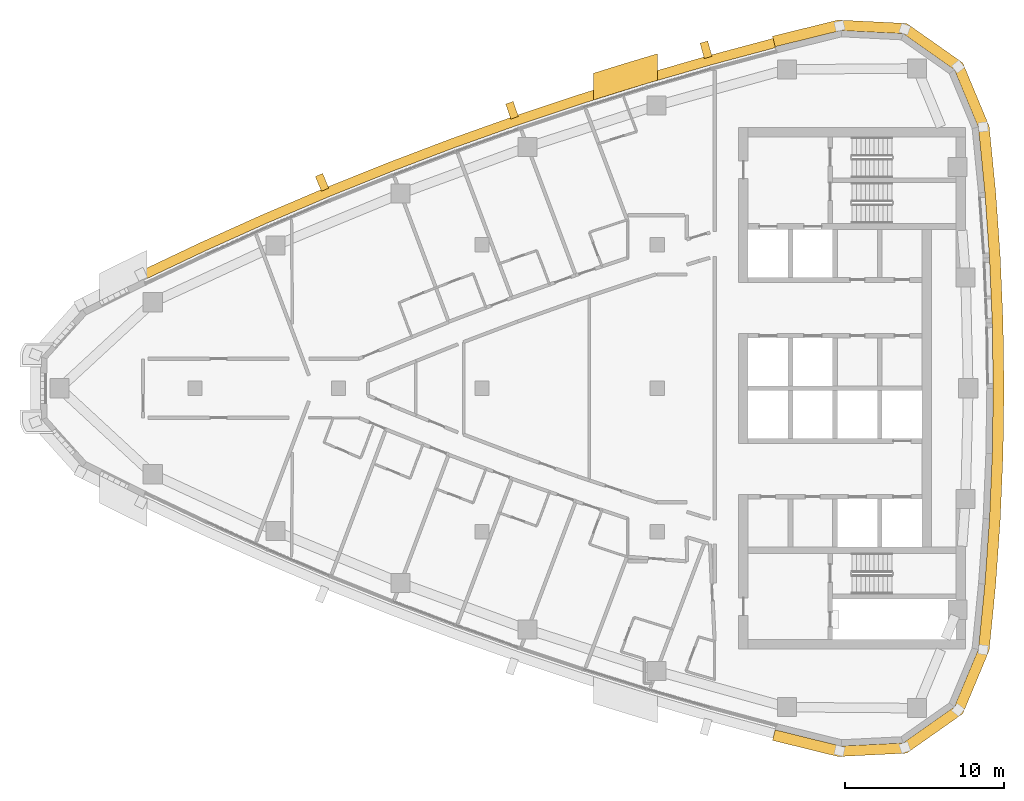
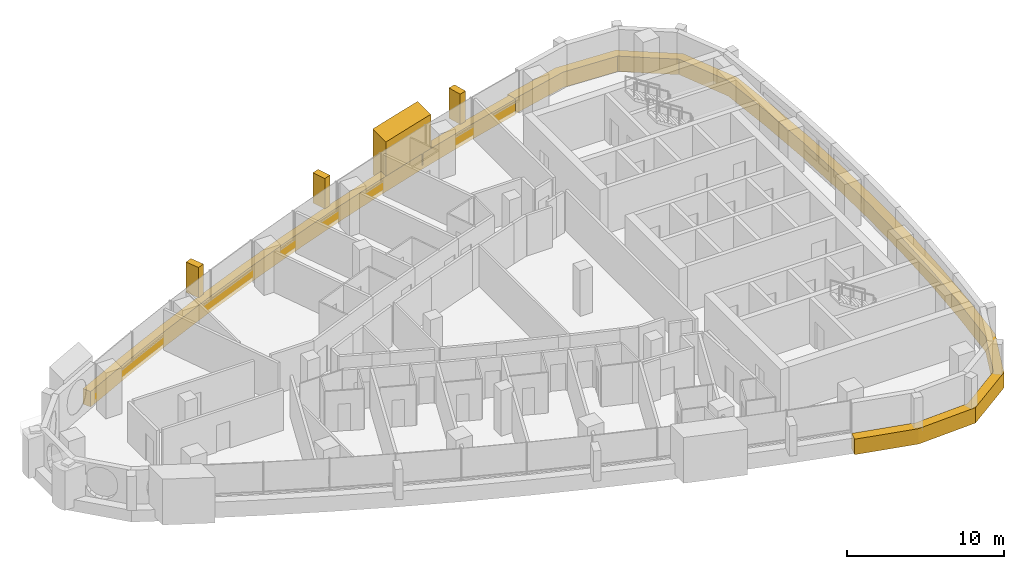
# One storey, part 15 of 16: 6 coverings.
"""IFC4 building model written with IfcOpenShell, lengths in metres."""

from ifc_helpers import new_model, si_unit, direction, frame, frame_2d, origin, place, context, subcontext, project, spatial, polyline, rectangle, outline, extrude, material, layer, layer_set, type_object, element, save


model = new_model("IFC4")

# Units and contexts
model_context = context("Model", 3, precision=1e-05, world=origin(), true_north=direction((0.0, 1.0)))
body_context = subcontext(model_context, "Body", "Model", "MODEL_VIEW")
ifc_project = project(units=[si_unit("LENGTHUNIT", "METRE"), si_unit("AREAUNIT", "SQUARE_METRE"), si_unit("VOLUMEUNIT", "CUBIC_METRE"), si_unit("PLANEANGLEUNIT", "RADIAN"), si_unit("MASSUNIT", "GRAM", prefix="KILO")], contexts=[model_context])

# Site, building, storey
site_placement = place(None, origin())
site = spatial("IfcSite", under=ifc_project, at=site_placement, CompositionType="ELEMENT")
building_placement = place(site_placement, origin())
building = spatial("IfcBuilding", under=site, at=building_placement, Name="Ostrand Prow Hotel Tower", CompositionType="ELEMENT")
storey_placement = place(building_placement, frame((0.0, 0.0, 252.75)))
storey = spatial("IfcBuildingStorey", under=building, at=storey_placement, Name="L64", CompositionType="ELEMENT", Elevation=252.75)

# Coverings
ifc_material_1 = material(Name="Bronze anodised aluminium cladding", Category="aluminium")
ifc_layer_1 = layer(ifc_material_1, 0.60009765625)
ifc_layer_set_1 = layer_set([ifc_layer_1], Name="Bronze anodised aluminium cladding")
covering_type_1 = type_object("IfcCoveringType", Name="Bronze spandrel band 1200x600", PredefinedType="CLADDING", material=ifc_layer_set_1)
covering_1_placement = place(storey_placement, frame((0.0, 0.0, -0.300048828125)))
element("IfcCovering", 1, at=covering_1_placement, inside=storey, type_object=covering_type_1, Name="Spandrel band N1", PredefinedType="CLADDING", context=body_context, shape_type="SweptSolid", body=[
    extrude(outline(polyline([(52.256591796875, 21.944580078125), (48.16064453125, 20.846435546875), (44.087890625, 19.665771484375), (40.039306640625, 18.403564453125), (36.017333984375, 17.059814453125), (32.02294921875, 15.635498046875), (28.058349609375, 14.131103515625), (24.12451171875, 12.547119140625), (20.2236328125, 10.88427734375), (16.35693359375, 9.14306640625), (12.526123046875, 7.324462890625), (12.788818359375, 6.784912109375), (16.60888671875, 8.598388671875), (20.464599609375, 10.334716796875), (24.354248046875, 11.992919921875), (28.27685546875, 13.572265625), (32.230224609375, 15.072509765625), (36.213134765625, 16.49267578125), (40.223876953125, 17.83251953125), (44.260498046875, 19.09130859375), (48.322021484375, 20.268310546875), (52.40625, 21.363525390625), (52.256591796875, 21.944580078125)])), origin(), (0.0, 0.0, 1.0), 1.199951171875),
])
covering_2_placement = place(storey_placement, frame((0.0, 0.0, -0.300048828125)))
element("IfcCovering", 2, at=covering_2_placement, inside=storey, type_object=covering_type_1, Name="Spandrel band back 1", PredefinedType="CLADDING", context=body_context, shape_type="SweptSolid", body=[
    extrude(outline(polyline([(52.22119140625, -22.081787109375), (56.34130859375, -23.09814453125), (60.638671875, -22.8837890625), (64.15771484375, -20.408447265625), (65.81201171875, -16.4365234375), (66.218505859375, -12.3388671875), (66.509033203125, -8.2314453125), (66.68359375, -4.117431640625), (66.74169921875, 0.0), (66.68359375, 4.117431640625), (66.509033203125, 8.2314453125), (66.218505859375, 12.3388671875), (65.81201171875, 16.4365234375), (64.15771484375, 20.408447265625), (60.638671875, 22.8837890625), (56.34130859375, 23.09814453125), (52.22119140625, 22.081787109375), (52.390869140625, 21.42333984375), (56.49755859375, 22.436279296875), (60.417236328125, 22.240966796875), (63.62744140625, 19.98291015625), (65.13623046875, 16.35986328125), (65.541015625, 12.281494140625), (65.830078125, 8.193115234375), (66.00390625, 4.09814453125), (66.061767578125, 0.0), (66.00390625, -4.09814453125), (65.830078125, -8.193115234375), (65.541015625, -12.281494140625), (65.13623046875, -16.35986328125), (63.62744140625, -19.98291015625), (60.417236328125, -22.240966796875), (56.49755859375, -22.436279296875), (52.390869140625, -21.42333984375), (52.22119140625, -22.081787109375)])), origin(), (0.0, 0.0, 1.0), 1.199951171875),
])
ifc_material_2 = material(Name="Limestone cladding", Category="masonry")
ifc_layer_2 = layer(ifc_material_2, 5.0)
ifc_layer_set_2 = layer_set([ifc_layer_2], Name="Limestone cladding")
covering_type_2 = type_object("IfcCoveringType", Name="Portal jamb pilaster limestone", PredefinedType="CLADDING", material=ifc_layer_set_2)
covering_3_placement = place(storey_placement, origin())
element("IfcCovering", 3, at=covering_3_placement, inside=storey, type_object=covering_type_2, Name="Portal jamb NB L64", PredefinedType="CLADDING", context=body_context, shape_type="SweptSolid", body=[
    extrude(outline(polyline([(41.0, 18.08154296875), (42.0, 18.3974609375), (43.0, 18.707763671875), (44.0, 19.0126953125), (45.0, 19.312255859375), (45.0, 20.980712890625), (44.0, 20.68359375), (43.0, 20.381103515625), (42.0, 20.0732421875), (41.0, 19.760009765625), (41.0, 18.08154296875)])), origin(), (0.0, 0.0, 1.0), 3.550048828125),
])
ifc_material_3 = material(Name="Limestone cladding", Category="masonry")
ifc_layer_3 = layer(ifc_material_3, 0.5)
ifc_layer_set_3 = layer_set([ifc_layer_3], Name="Limestone cladding")
covering_type_3 = type_object("IfcCoveringType", Name="Precast stone fin 500x900", PredefinedType="CLADDING", material=ifc_layer_set_3)
for number, where, z_axis, x_axis, name in (
    (4, (48.1875, 20.75, 0.89990234375), (0.0, 0.0, 1.0), (-0.26852507925, 0.963272693381, 0.0), "Stone fin N 2"),
    (5, (36.0498046875, 16.96533203125, 0.89990234375), (0.0, 0.0, 1.0), (-0.326389393469, 0.945235401279, 0.0), "Stone fin N 5"),
    (6, (24.162841796875, 12.45458984375, 0.89990234375), (0.0, 0.0, 1.0), (-0.382811769845, 0.923826362943, 0.0), "Stone fin N 8"),
):
    element("IfcCovering", number, at=place(storey_placement, frame(where, z_axis=z_axis, x_axis=x_axis)), inside=storey, type_object=covering_type_3, Name=name, PredefinedType="CLADDING", context=body_context, shape_type="SweptSolid", body=[
        extrude(rectangle(XDim=1.0, YDim=0.5, at=frame_2d((0.5, 0.0))), origin(), (0.0, 0.0, 1.0), 2.35009765625),
    ])

save(model, "model.ifc")
